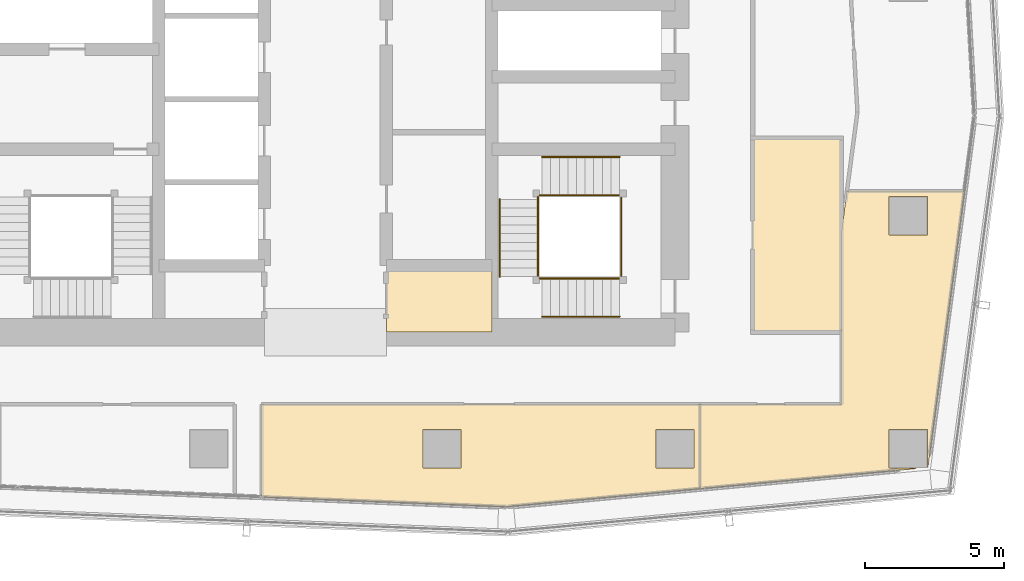
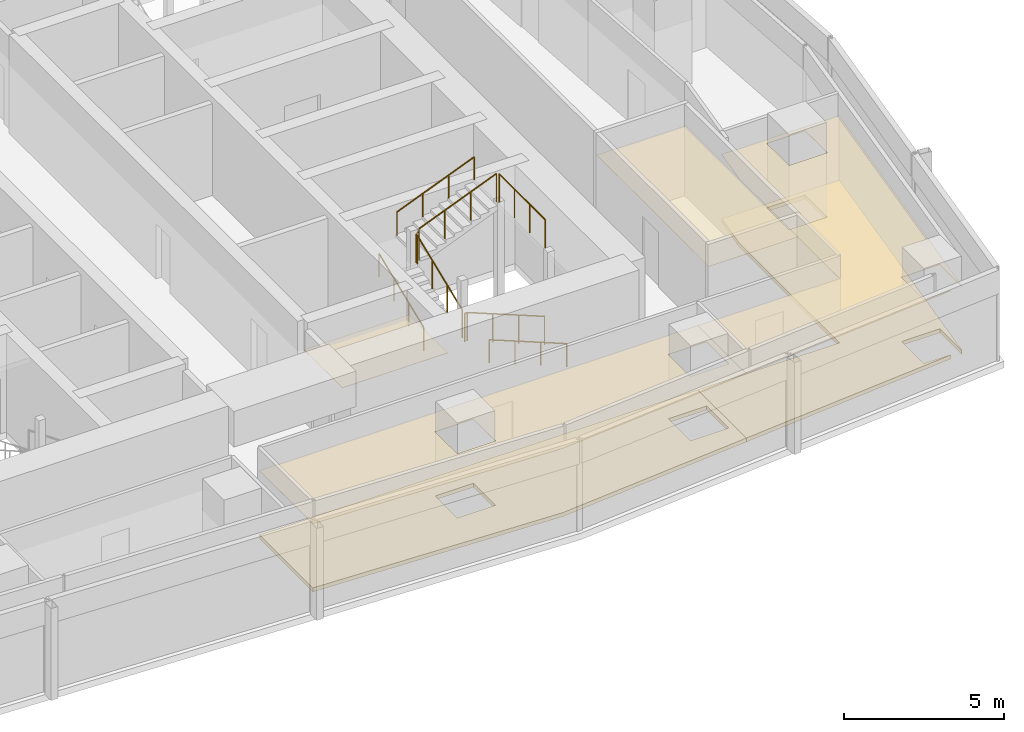
# One storey, part 35 of 38: 10 railings, 6 coverings.
"""IFC4 building model written with IfcOpenShell, lengths in metres."""

from ifc_helpers import new_model, si_unit, direction, frame, origin, origin_2d, place, context, subcontext, project, spatial, polyline, circle, outline, extrude, material, layer, layer_set, type_object, element, save


model = new_model("IFC4")

# Units and contexts
model_context = context("Model", 3, precision=1e-05, world=origin(), true_north=direction((0.0, 1.0)))
body_context = subcontext(model_context, "Body", "Model", "MODEL_VIEW")
ifc_project = project(units=[si_unit("LENGTHUNIT", "METRE"), si_unit("AREAUNIT", "SQUARE_METRE"), si_unit("VOLUMEUNIT", "CUBIC_METRE"), si_unit("PLANEANGLEUNIT", "RADIAN"), si_unit("MASSUNIT", "GRAM", prefix="KILO")], contexts=[model_context])

# Site, building, storey
site_placement = place(None, origin())
site = spatial("IfcSite", under=ifc_project, at=site_placement, CompositionType="ELEMENT")
building_placement = place(site_placement, origin())
building = spatial("IfcBuilding", under=site, at=building_placement, Name="Rekha Terrace Tower", CompositionType="ELEMENT")
storey_placement = place(building_placement, frame((0.0, 0.0, 202.699951171875)))
storey = spatial("IfcBuildingStorey", under=building, at=storey_placement, Name="L51", CompositionType="ELEMENT", Elevation=202.699951171875)

# Coverings
ifc_material_1 = material(Name="Mineral fibre tile in exposed grid", Category="finish")
ifc_layer_1 = layer(ifc_material_1, 0.02001953125)
ifc_layer_set_1 = layer_set([ifc_layer_1], Name="Mineral fibre tile in exposed grid")
covering_type_1 = type_object("IfcCoveringType", Name="CL1 600x1200 office grid ceiling", PredefinedType="CEILING", material=ifc_layer_set_1)
covering_1_placement = place(storey_placement, frame((0.0, 0.0, 2.580078125)))
element("IfcCovering", 1, at=covering_1_placement, inside=storey, type_object=covering_type_1, Name="Ceiling L51-02", PredefinedType="CEILING", context=body_context, shape_type="SweptSolid", body=[
    extrude(outline(polyline([(56.39990234375, 18.39990234375), (51.291015625, 18.39990234375), (51.291015625, 15.362060546875), (59.080078125, 16.0869140625), (59.0791015625, 16.110107421875), (58.110107421875, 16.110107421875), (58.110107421875, 17.489990234375), (59.489990234375, 17.489990234375), (59.489990234375, 16.12890625), (59.510009765625, 16.1279296875), (60.8291015625, 26.0830078125), (56.592041015625, 26.0830078125), (56.39990234375, 24.633056640625), (56.39990234375, 18.39990234375)]), holes=[polyline([(59.489990234375, 24.510009765625), (58.110107421875, 24.510009765625), (58.110107421875, 25.889892578125), (59.489990234375, 25.889892578125), (59.489990234375, 24.510009765625)])]), origin(), (0.0, 0.0, 1.0), 0.02001953125),
])
covering_2_placement = place(storey_placement, frame((0.0, 0.0, 2.580078125)))
element("IfcCovering", 2, at=covering_2_placement, inside=storey, type_object=covering_type_1, Name="Ceiling L51-18", PredefinedType="CEILING", context=body_context, shape_type="SweptSolid", body=[
    extrude(outline(polyline([(35.508056640625, 15.06298828125), (44.343994140625, 14.7109375), (44.343994140625, 14.715087890625), (51.291015625, 15.362060546875), (51.291015625, 18.39990234375), (35.508056640625, 18.39990234375), (35.508056640625, 15.06298828125)]), holes=[polyline([(51.090087890625, 16.110107421875), (49.7099609375, 16.110107421875), (49.7099609375, 17.489990234375), (51.090087890625, 17.489990234375), (51.090087890625, 16.110107421875)]), polyline([(42.68994140625, 17.489990234375), (42.68994140625, 16.110107421875), (41.31005859375, 16.110107421875), (41.31005859375, 17.489990234375), (42.68994140625, 17.489990234375)])]), origin(), (0.0, 0.0, 1.0), 0.02001953125),
])
ifc_material_2 = material(Name="Fibre cement board", Category="finish")
ifc_layer_2 = layer(ifc_material_2, 0.014892578125)
ifc_layer_set_2 = layer_set([ifc_layer_2], Name="Fibre cement board")
covering_type_2 = type_object("IfcCoveringType", Name="CL2 moisture-resistant board ceiling", PredefinedType="CEILING", material=ifc_layer_set_2)
covering_3_placement = place(storey_placement, frame((0.0, 0.0, 2.5849609375)))
element("IfcCovering", 3, at=covering_3_placement, inside=storey, type_object=covering_type_2, Name="Ceiling L51-WCA", PredefinedType="CEILING", context=body_context, shape_type="SweptSolid", body=[
    extrude(outline(polyline([(43.800048828125, 23.39990234375), (40.0, 23.39990234375), (40.0, 21.0), (43.800048828125, 21.0), (43.800048828125, 23.39990234375)])), origin(), (0.0, 0.0, 1.0), 0.01513671875),
])
covering_4_placement = place(storey_placement, frame((0.0, 0.0, 2.5849609375)))
element("IfcCovering", 4, at=covering_4_placement, inside=storey, type_object=covering_type_2, Name="Ceiling L51-WCM2", PredefinedType="CEILING", context=body_context, shape_type="SweptSolid", body=[
    extrude(outline(polyline([(56.39990234375, 28.0), (53.199951171875, 28.0), (53.199951171875, 21.0), (56.39990234375, 21.0), (56.39990234375, 28.0)])), origin(), (0.0, 0.0, 1.0), 0.01513671875),
])

# Railings
ifc_material_3 = material(Name="Stainless steel balustrade", Category="steel")
railing_type_1 = type_object("IfcRailingType", Name="GR1 1100 stair guard", PredefinedType="GUARDRAIL", material=ifc_material_3)
railing_1_placement = place(storey_placement, frame((48.39990234375, 22.93994140625, 0.125)))
element("IfcRailing", 5, at=railing_1_placement, inside=storey, type_object=railing_type_1, Name="Guard ST3 L51 flight 1", PredefinedType="GUARDRAIL", context=body_context, shape_type="SweptSolid", body=[
    extrude(circle(Radius=0.02392578125, at=origin_2d()), frame((0.0, 0.0, 1.076171875), z_axis=(-0.927431937212, 0.0, 0.373991980981), x_axis=(0.0, -1.0, 0.0)), (0.0, 0.0, 1.0), 3.008056640625),
    extrude(circle(Radius=0.02099609375, at=origin_2d()), origin(), (0.0, 0.0, 1.0), 1.052001953125),
    extrude(circle(Radius=0.02099609375, at=origin_2d()), frame((-0.929931640625, 0.0, 0.375)), (0.0, 0.0, 1.0), 1.052001953125),
    extrude(circle(Radius=0.02099609375, at=origin_2d()), frame((-1.85986328125, 0.0, 0.75)), (0.0, 0.0, 1.0), 1.052001953125),
    extrude(circle(Radius=0.02099609375, at=origin_2d()), frame((-2.789794921875, 0.0, 1.125)), (0.0, 0.0, 1.0), 1.052001953125),
])
railing_2_placement = place(storey_placement, frame((45.465087890625, 23.0, 1.375)))
element("IfcRailing", 6, at=railing_2_placement, inside=storey, type_object=railing_type_1, Name="Guard ST3 L51 flight 2", PredefinedType="GUARDRAIL", context=body_context, shape_type="SweptSolid", body=[
    extrude(circle(Radius=0.02392578125, at=origin_2d()), frame((0.0, 0.0, 1.076171875), z_axis=(0.0, 0.927443287984, 0.373963831907), x_axis=(-1.0, 0.0, 0.0)), (0.0, 0.0, 1.0), 3.00830078125),
    extrude(circle(Radius=0.02099609375, at=origin_2d()), origin(), (0.0, 0.0, 1.0), 1.052001953125),
    extrude(circle(Radius=0.02099609375, at=origin_2d()), frame((0.0, 0.929931640625, 0.375)), (0.0, 0.0, 1.0), 1.052001953125),
    extrude(circle(Radius=0.02099609375, at=origin_2d()), frame((0.0, 1.860107421875, 0.75)), (0.0, 0.0, 1.0), 1.052001953125),
    extrude(circle(Radius=0.02099609375, at=origin_2d()), frame((0.0, 2.7900390625, 1.125)), (0.0, 0.0, 1.0), 1.052001953125),
])
railing_3_placement = place(storey_placement, frame((45.610107421875, 25.93505859375, 2.625)))
element("IfcRailing", 7, at=railing_3_placement, inside=storey, type_object=railing_type_1, Name="Guard ST3 L51 flight 3", PredefinedType="GUARDRAIL", context=body_context, shape_type="SweptSolid", body=[
    extrude(circle(Radius=0.02392578125, at=origin_2d()), frame((0.0, 0.0, 1.076171875), z_axis=(0.927431937212, 0.0, 0.373991980981), x_axis=(0.0, 1.0, 0.0)), (0.0, 0.0, 1.0), 3.008056640625),
    extrude(circle(Radius=0.02099609375, at=origin_2d()), origin(), (0.0, 0.0, 1.0), 1.052001953125),
    extrude(circle(Radius=0.02099609375, at=origin_2d()), frame((0.929931640625, 0.0, 0.375)), (0.0, 0.0, 1.0), 1.052001953125),
    extrude(circle(Radius=0.02099609375, at=origin_2d()), frame((1.85986328125, 0.0, 0.75)), (0.0, 0.0, 1.0), 1.052001953125),
    extrude(circle(Radius=0.02099609375, at=origin_2d()), frame((2.789794921875, 0.0, 1.125)), (0.0, 0.0, 1.0), 1.052001953125),
])
railing_4_placement = place(storey_placement, frame((45.610107421875, 22.93994140625, 1.25)))
element("IfcRailing", 8, at=railing_4_placement, inside=storey, type_object=railing_type_1, Name="Guard ST3 L51 landing 1", PredefinedType="GUARDRAIL", context=body_context, shape_type="SweptSolid", body=[
    extrude(circle(Radius=0.02392578125, at=origin_2d()), frame((0.0, 0.0, 1.076171875), z_axis=(-1.0, 0.0, 0.0), x_axis=(0.0, -1.0, 0.0)), (0.0, 0.0, 1.0), 0.085205078125),
    extrude(circle(Radius=0.02099609375, at=origin_2d()), origin(), (0.0, 0.0, 1.0), 1.052001953125),
    extrude(circle(Radius=0.02099609375, at=origin_2d()), frame((-0.085205078125, 0.0, 0.0)), (0.0, 0.0, 1.0), 1.052001953125),
])
railing_5_placement = place(storey_placement, frame((45.465087890625, 25.7900390625, 2.5)))
element("IfcRailing", 9, at=railing_5_placement, inside=storey, type_object=railing_type_1, Name="Guard ST3 L51 landing 2", PredefinedType="GUARDRAIL", context=body_context, shape_type="SweptSolid", body=[
    extrude(circle(Radius=0.02392578125, at=origin_2d()), frame((0.0, 0.0, 1.076171875), z_axis=(0.0, 1.0, 0.0), x_axis=(-1.0, 0.0, 0.0)), (0.0, 0.0, 1.0), 0.0849609375),
    extrude(circle(Radius=0.02099609375, at=origin_2d()), origin(), (0.0, 0.0, 1.0), 1.052001953125),
    extrude(circle(Radius=0.02099609375, at=origin_2d()), frame((0.0, 0.0849609375, 0.0)), (0.0, 0.0, 1.0), 1.052001953125),
])
railing_6_placement = place(storey_placement, frame((45.610107421875, 25.93505859375, 2.5)))
element("IfcRailing", 10, at=railing_6_placement, inside=storey, type_object=railing_type_1, Name="Guard ST3 L51 landing 3", PredefinedType="GUARDRAIL", context=body_context, shape_type="SweptSolid", body=[
    extrude(circle(Radius=0.02392578125, at=origin_2d()), frame((0.0, 0.0, 1.076171875), z_axis=(-1.0, 0.0, 0.0), x_axis=(0.0, -1.0, 0.0)), (0.0, 0.0, 1.0), 0.085205078125),
    extrude(circle(Radius=0.02099609375, at=origin_2d()), origin(), (0.0, 0.0, 1.0), 1.052001953125),
    extrude(circle(Radius=0.02099609375, at=origin_2d()), frame((-0.085205078125, 0.0, 0.0)), (0.0, 0.0, 1.0), 1.052001953125),
])
railing_7_placement = place(storey_placement, frame((48.4599609375, 23.0, 3.75)))
element("IfcRailing", 11, at=railing_7_placement, inside=storey, type_object=railing_type_1, Name="Guard ST3 L51 landing 4", PredefinedType="GUARDRAIL", context=body_context, shape_type="SweptSolid", body=[
    extrude(circle(Radius=0.02392578125, at=origin_2d()), frame((0.0, 0.0, 1.076171875), z_axis=(0.0, 1.0, 0.0), x_axis=(-1.0, 0.0, 0.0)), (0.0, 0.0, 1.0), 2.875),
    extrude(circle(Radius=0.02099609375, at=origin_2d()), origin(), (0.0, 0.0, 1.0), 1.052001953125),
    extrude(circle(Radius=0.02099609375, at=origin_2d()), frame((0.0, 0.958251953125, 0.0)), (0.0, 0.0, 1.0), 1.052001953125),
    extrude(circle(Radius=0.02099609375, at=origin_2d()), frame((0.0, 1.916748046875, 0.0)), (0.0, 0.0, 1.0), 1.052001953125),
    extrude(circle(Radius=0.02099609375, at=origin_2d()), frame((0.0, 2.875, 0.0)), (0.0, 0.0, 1.0), 1.052001953125),
])
ifc_material_4 = material(Name="Stainless steel tube", Category="steel")
railing_type_2 = type_object("IfcRailingType", Name="HR1 900 stair handrail", PredefinedType="HANDRAIL", material=ifc_material_4)
railing_8_placement = place(storey_placement, frame((48.39990234375, 21.56005859375, 0.125)))
element("IfcRailing", 12, at=railing_8_placement, inside=storey, type_object=railing_type_2, Name="Handrail ST3 L51 flight 1", PredefinedType="HANDRAIL", context=body_context, shape_type="SweptSolid", body=[
    extrude(circle(Radius=0.02392578125, at=origin_2d()), frame((0.0, 0.0, 0.8759765625), z_axis=(-0.927431937212, 0.0, 0.373991980981), x_axis=(0.0, -1.0, 0.0)), (0.0, 0.0, 1.0), 3.008056640625),
    extrude(circle(Radius=0.02099609375, at=origin_2d()), origin(), (0.0, 0.0, 1.0), 0.851806640625),
    extrude(circle(Radius=0.02099609375, at=origin_2d()), frame((-0.929931640625, 0.0, 0.375)), (0.0, 0.0, 1.0), 0.851806640625),
    extrude(circle(Radius=0.02099609375, at=origin_2d()), frame((-1.85986328125, 0.0, 0.75)), (0.0, 0.0, 1.0), 0.851806640625),
    extrude(circle(Radius=0.02099609375, at=origin_2d()), frame((-2.789794921875, 0.0, 1.125)), (0.0, 0.0, 1.0), 0.851806640625),
])
railing_9_placement = place(storey_placement, frame((44.0849609375, 23.0, 1.375)))
element("IfcRailing", 13, at=railing_9_placement, inside=storey, type_object=railing_type_2, Name="Handrail ST3 L51 flight 2", PredefinedType="HANDRAIL", context=body_context, shape_type="SweptSolid", body=[
    extrude(circle(Radius=0.02392578125, at=origin_2d()), frame((0.0, 0.0, 0.8759765625), z_axis=(0.0, 0.927443287984, 0.373963831907), x_axis=(-1.0, 0.0, 0.0)), (0.0, 0.0, 1.0), 3.00830078125),
    extrude(circle(Radius=0.02099609375, at=origin_2d()), origin(), (0.0, 0.0, 1.0), 0.851806640625),
    extrude(circle(Radius=0.02099609375, at=origin_2d()), frame((0.0, 0.929931640625, 0.375)), (0.0, 0.0, 1.0), 0.851806640625),
    extrude(circle(Radius=0.02099609375, at=origin_2d()), frame((0.0, 1.860107421875, 0.75)), (0.0, 0.0, 1.0), 0.851806640625),
    extrude(circle(Radius=0.02099609375, at=origin_2d()), frame((0.0, 2.7900390625, 1.125)), (0.0, 0.0, 1.0), 0.851806640625),
])
railing_10_placement = place(storey_placement, frame((45.610107421875, 27.31494140625, 2.625)))
element("IfcRailing", 14, at=railing_10_placement, inside=storey, type_object=railing_type_2, Name="Handrail ST3 L51 flight 3", PredefinedType="HANDRAIL", context=body_context, shape_type="SweptSolid", body=[
    extrude(circle(Radius=0.02392578125, at=origin_2d()), frame((0.0, 0.0, 0.8759765625), z_axis=(0.927431937212, 0.0, 0.373991980981), x_axis=(0.0, 1.0, 0.0)), (0.0, 0.0, 1.0), 3.008056640625),
    extrude(circle(Radius=0.02099609375, at=origin_2d()), origin(), (0.0, 0.0, 1.0), 0.851806640625),
    extrude(circle(Radius=0.02099609375, at=origin_2d()), frame((0.929931640625, 0.0, 0.375)), (0.0, 0.0, 1.0), 0.851806640625),
    extrude(circle(Radius=0.02099609375, at=origin_2d()), frame((1.85986328125, 0.0, 0.75)), (0.0, 0.0, 1.0), 0.851806640625),
    extrude(circle(Radius=0.02099609375, at=origin_2d()), frame((2.789794921875, 0.0, 1.125)), (0.0, 0.0, 1.0), 0.851806640625),
])

# Coverings
ifc_material_5 = material(Name="Calcium sulphate panels on steel pedestals", Category="steel")
ifc_layer_3 = layer(ifc_material_5, 0.14990234375)
ifc_layer_set_3 = layer_set([ifc_layer_3], Name="Calcium sulphate panels on steel pedestals")
covering_type_3 = type_object("IfcCoveringType", Name="RF1 150 raised access floor", PredefinedType="FLOORING", material=ifc_layer_set_3)
covering_5_placement = place(storey_placement, origin())
element("IfcCovering", 15, at=covering_5_placement, inside=storey, type_object=covering_type_3, Name="Raised floor L51-02", PredefinedType="FLOORING", context=body_context, shape_type="SweptSolid", body=[
    extrude(outline(polyline([(56.39990234375, 18.39990234375), (51.291015625, 18.39990234375), (51.291015625, 15.362060546875), (59.080078125, 16.0869140625), (59.0791015625, 16.110107421875), (58.110107421875, 16.110107421875), (58.110107421875, 17.489990234375), (59.489990234375, 17.489990234375), (59.489990234375, 16.12890625), (59.510009765625, 16.1279296875), (60.8291015625, 26.0830078125), (56.592041015625, 26.0830078125), (56.39990234375, 24.633056640625), (56.39990234375, 18.39990234375)]), holes=[polyline([(59.489990234375, 24.510009765625), (58.110107421875, 24.510009765625), (58.110107421875, 25.889892578125), (59.489990234375, 25.889892578125), (59.489990234375, 24.510009765625)])]), origin(), (0.0, 0.0, 1.0), 0.150146484375),
])
covering_6_placement = place(storey_placement, origin())
element("IfcCovering", 16, at=covering_6_placement, inside=storey, type_object=covering_type_3, Name="Raised floor L51-18", PredefinedType="FLOORING", context=body_context, shape_type="SweptSolid", body=[
    extrude(outline(polyline([(35.508056640625, 15.06298828125), (44.343994140625, 14.7109375), (44.343994140625, 14.715087890625), (51.291015625, 15.362060546875), (51.291015625, 18.39990234375), (35.508056640625, 18.39990234375), (35.508056640625, 15.06298828125)]), holes=[polyline([(51.090087890625, 16.110107421875), (49.7099609375, 16.110107421875), (49.7099609375, 17.489990234375), (51.090087890625, 17.489990234375), (51.090087890625, 16.110107421875)]), polyline([(42.68994140625, 17.489990234375), (42.68994140625, 16.110107421875), (41.31005859375, 16.110107421875), (41.31005859375, 17.489990234375), (42.68994140625, 17.489990234375)])]), origin(), (0.0, 0.0, 1.0), 0.150146484375),
])

save(model, "model.ifc")
